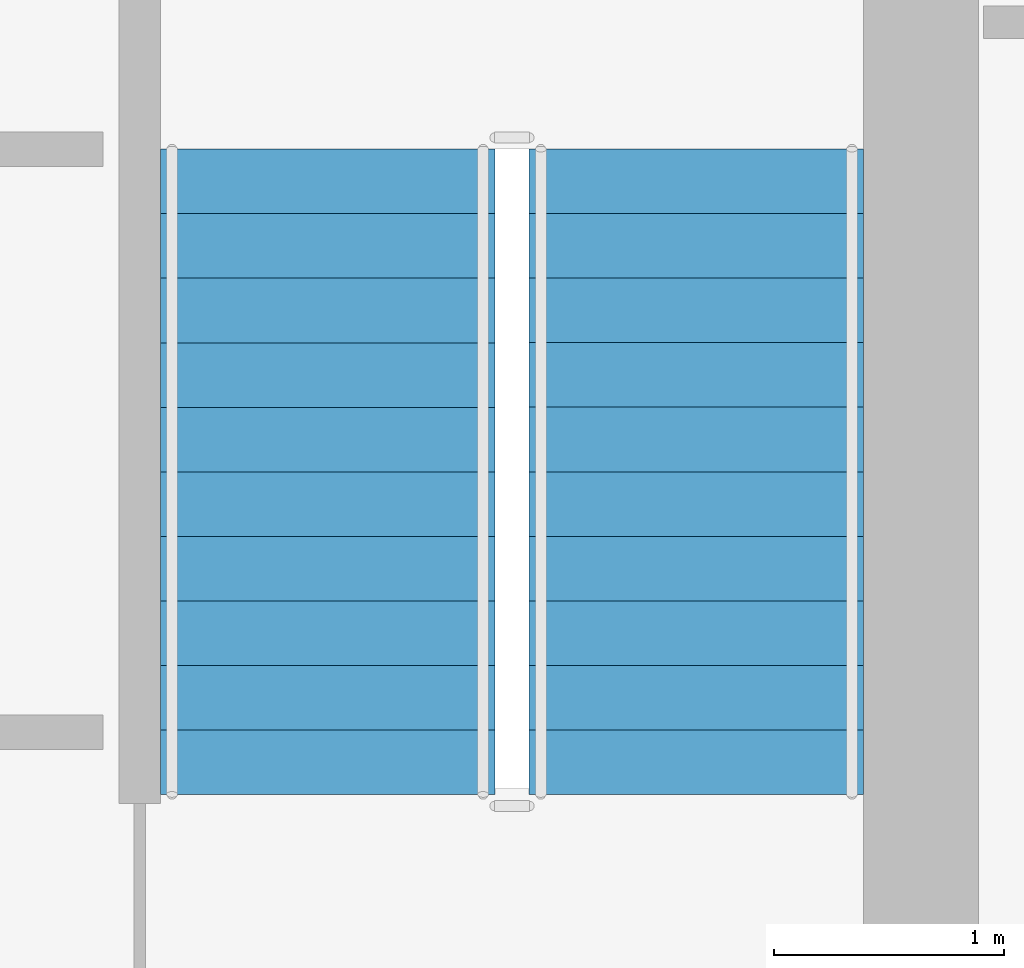
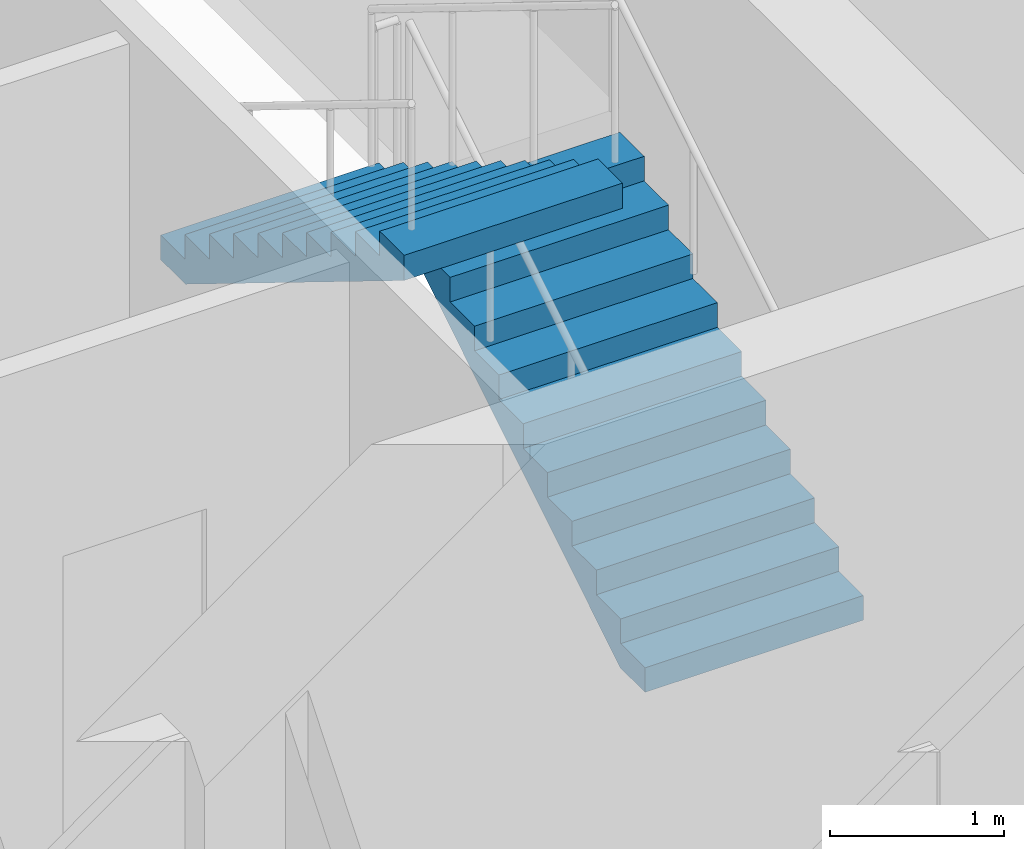
# One storey, part 34 of 37: 2 stair flights, 1 element without a shape of its own.
"""IFC4 building model written with IfcOpenShell, lengths in metres."""

from ifc_helpers import new_model, si_unit, direction, frame, origin, place, context, subcontext, project, spatial, polyline, outline, extrude, material, type_object, element, aggregate, save


model = new_model("IFC4")

# Units and contexts
model_context = context("Model", 3, precision=1e-05, world=origin(), true_north=direction((0.0, 1.0)))
body_context = subcontext(model_context, "Body", "Model", "MODEL_VIEW")
ifc_project = project(units=[si_unit("LENGTHUNIT", "METRE"), si_unit("AREAUNIT", "SQUARE_METRE"), si_unit("VOLUMEUNIT", "CUBIC_METRE"), si_unit("PLANEANGLEUNIT", "RADIAN"), si_unit("MASSUNIT", "GRAM", prefix="KILO")], contexts=[model_context])

# Site, building, storey
site_placement = place(None, origin())
site = spatial("IfcSite", under=ifc_project, at=site_placement, CompositionType="ELEMENT")
building_placement = place(site_placement, origin())
building = spatial("IfcBuilding", under=site, at=building_placement, Name="Saevonmaru Cultural Tower", CompositionType="ELEMENT")
storey_placement = place(building_placement, frame((0.0, 0.0, 141.0)))
storey = spatial("IfcBuildingStorey", under=building, at=storey_placement, Name="L30", CompositionType="ELEMENT", Elevation=141.0)

# Stair, stair flights
ifc_material_1 = material(Name="Concrete C40/50", Category="concrete")
stair_type = type_object("IfcStairType", Name="STR-DOGLEG-RC", PredefinedType="HALF_TURN_STAIR", material=ifc_material_1)
stair_placement = place(storey_placement, origin())
stair = element("IfcStair", 1, at=stair_placement, inside=storey, type_object=stair_type, Name="L30 Protected exit stair ST-2", PredefinedType="HALF_TURN_STAIR")
ifc_material_2 = material(Name="Precast concrete C40/50", Category="concrete")
stair_flight_type = type_object("IfcStairFlightType", Name="STF-PRECAST-180", PredefinedType="STRAIGHT", material=ifc_material_2)
stair_flight_1_placement = place(storey_placement, frame((45.074951171875, 44.85009765625, 0.0), z_axis=(0.0, 0.0, 1.0), x_axis=(0.0, 1.0, 0.0)))
stair_flight_1 = element("IfcStairFlight", 2, at=stair_flight_1_placement, type_object=stair_flight_type, Name="ST-2-L30 flight 1", NumberOfRisers=11, NumberOfTreads=10, PredefinedType="STRAIGHT", RiserHeight=0.172727273, TreadLength=0.28, context=body_context, shape_type="SweptSolid", body=[
    extrude(outline(polyline([(0.0, 0.0), (0.0, 0.172607421875), (0.280029296875, 0.172607421875), (0.280029296875, 0.345458984375), (0.56005859375, 0.345458984375), (0.56005859375, 0.51806640625), (0.840087890625, 0.51806640625), (0.840087890625, 0.69091796875), (1.1201171875, 0.69091796875), (1.1201171875, 0.863525390625), (1.39990234375, 0.863525390625), (1.39990234375, 1.036376953125), (1.679931640625, 1.036376953125), (1.679931640625, 1.208984375), (1.9599609375, 1.208984375), (1.9599609375, 1.3818359375), (2.239990234375, 1.3818359375), (2.239990234375, 1.554443359375), (2.52001953125, 1.554443359375), (2.52001953125, 1.727294921875), (2.800048828125, 1.727294921875), (2.800048828125, 1.89990234375), (2.800048828125, 1.551025390625), (0.285400390625, 0.0), (0.0, 0.0)])), frame((0.0, 0.72509765625, 0.0), z_axis=(0.0, -1.0, 0.0), x_axis=(1.0, 0.0, 0.0)), (0.0, 0.0, 1.0), 1.449951171875),
])
stair_flight_2_placement = place(storey_placement, frame((43.47509765625, 47.64990234375, 1.89990234375), z_axis=(0.0, 0.0, 1.0), x_axis=(0.0, -1.0, 0.0)))
stair_flight_2 = element("IfcStairFlight", 3, at=stair_flight_2_placement, type_object=stair_flight_type, Name="ST-2-L30 flight 2", NumberOfRisers=11, NumberOfTreads=10, PredefinedType="STRAIGHT", RiserHeight=0.172727273, TreadLength=0.28, context=body_context, shape_type="SweptSolid", body=[
    extrude(outline(polyline([(0.0, 0.0), (0.0, 0.172607421875), (0.280029296875, 0.172607421875), (0.280029296875, 0.345458984375), (0.56005859375, 0.345458984375), (0.56005859375, 0.51806640625), (0.840087890625, 0.51806640625), (0.840087890625, 0.69091796875), (1.1201171875, 0.69091796875), (1.1201171875, 0.863525390625), (1.39990234375, 0.863525390625), (1.39990234375, 1.036376953125), (1.679931640625, 1.036376953125), (1.679931640625, 1.208984375), (1.9599609375, 1.208984375), (1.9599609375, 1.3818359375), (2.239990234375, 1.3818359375), (2.239990234375, 1.554443359375), (2.52001953125, 1.554443359375), (2.52001953125, 1.727294921875), (2.800048828125, 1.727294921875), (2.800048828125, 1.89990234375), (2.800048828125, 1.551025390625), (0.285400390625, 0.0), (0.0, 0.0)])), frame((0.0, 0.72509765625, 0.0), z_axis=(0.0, -1.0, 0.0), x_axis=(1.0, 0.0, 0.0)), (0.0, 0.0, 1.0), 1.449951171875),
])
aggregate(stair, [stair_flight_1, stair_flight_2])

save(model, "model.ifc")
